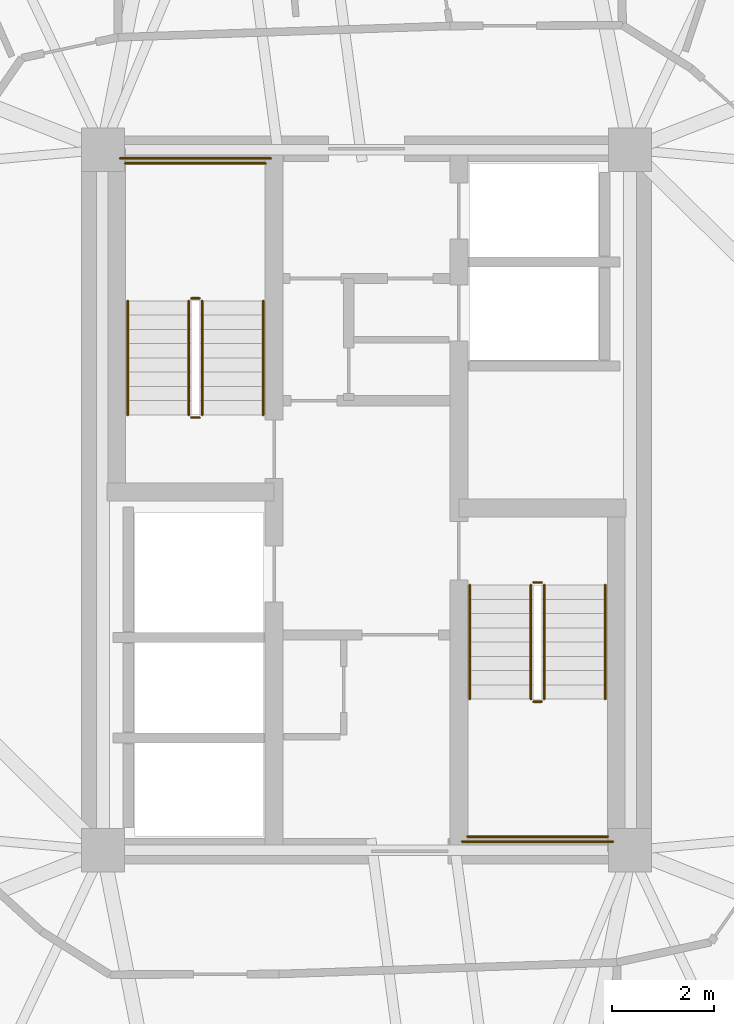
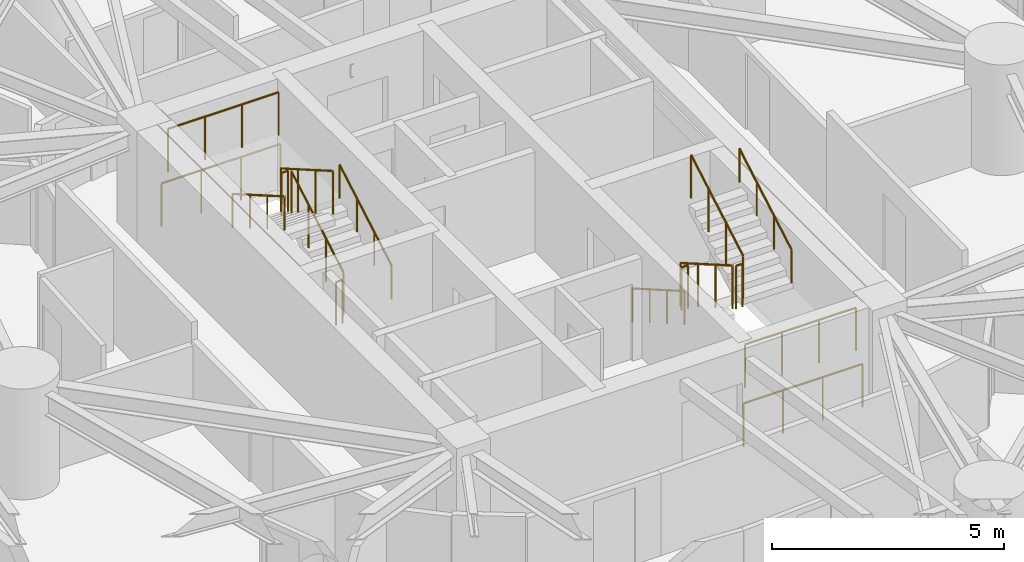
# One storey, part 17 of 18: 16 railings.
"""IFC4 building model written with IfcOpenShell, lengths in metres."""

import ifcopenshell
import ifcopenshell.guid

model = None  # the IFC model being written
_history = None  # IfcOwnerHistory: only IFC2X3 demands one
_inside = {}  # id of a spatial element -> (the spatial element, [elements in it])
_under = {}  # id of a project, library or spatial element -> (it, [spatial elements below it])
_declared = {}  # id of a project -> (the project, [libraries it declares])
_typed = {}  # id of a type object -> (the type object, [elements of that type])
_made_of = {}  # id of a material, layer set ... -> (it, [elements and type objects made of it])


def new_model(schema):
    """Start an empty IFC model of exactly this schema.

    Asked for "IFC4X3", IfcOpenShell would pick the latest addendum, in which some entities
    have other attributes; the version numbers below select the first issue.
    IFC2X3 requires an IfcOwnerHistory on every rooted entity: one is made here for all.
    """
    global model, _history
    if schema == "IFC4X3":
        model = ifcopenshell.file(schema_version=(4, 3, 0, 0))
    else:
        model = ifcopenshell.file(schema=schema)
    _inside.clear()
    _under.clear()
    _declared.clear()
    _typed.clear()
    _made_of.clear()
    _history = None
    if model.schema == "IFC2X3":
        org = make("IfcOrganization", Name="unknown")
        user = make(
            "IfcPersonAndOrganization",
            ThePerson=make("IfcPerson", FamilyName="unknown"),
            TheOrganization=org,
        )
        app = make(
            "IfcApplication",
            ApplicationDeveloper=org,
            Version="unknown",
            ApplicationFullName="unknown",
            ApplicationIdentifier="unknown",
        )
        _history = make(
            "IfcOwnerHistory",
            OwningUser=user,
            OwningApplication=app,
            ChangeAction="ADDED",
            CreationDate=0,
        )
    return model


def make(cls, **values):
    """One entity of the class cls with the attributes given. An attribute that is None is left unset."""
    return model.create_entity(
        cls, **{name: value for name, value in values.items() if value is not None}
    )


def rooted(cls, **values):
    """An entity with a GlobalId (a new one), such as an element, a storey or a relation."""
    return make(cls, GlobalId=ifcopenshell.guid.new(), OwnerHistory=_history, **values)


def si_unit(unit_type, name, prefix=None):
    """IfcSIUnit, for example si_unit("LENGTHUNIT", "METRE", prefix="MILLI")."""
    return make("IfcSIUnit", UnitType=unit_type, Prefix=prefix, Name=name)


def assignment(units):
    """IfcUnitAssignment: the units of a project."""
    return None if units is None else make("IfcUnitAssignment", Units=units)


def point(xyz):
    """IfcCartesianPoint."""
    return None if xyz is None else make("IfcCartesianPoint", Coordinates=xyz)


def direction(xyz):
    """IfcDirection."""
    return None if xyz is None else make("IfcDirection", DirectionRatios=xyz)


def frame(location, z_axis=None, x_axis=None):
    """IfcAxis2Placement3D, a coordinate frame: its origin and axes. An axis left out is left unset."""
    return make(
        "IfcAxis2Placement3D",
        Location=point(location),
        Axis=direction(z_axis),
        RefDirection=direction(x_axis),
    )


def frame_2d(location, x_axis=None):
    """IfcAxis2Placement2D, a coordinate frame in the plane: its origin and x axis."""
    return make(
        "IfcAxis2Placement2D", Location=point(location), RefDirection=direction(x_axis)
    )


def origin():
    """The frame at (0, 0, 0) with its axes left unset."""
    return frame((0.0, 0.0, 0.0))


def origin_2d():
    """The frame at (0, 0) in the plane with its x axis left unset."""
    return frame_2d((0.0, 0.0))


def place(relative_to, where):
    """IfcLocalPlacement: puts the frame where relative to a parent placement (None: the world)."""
    return make(
        "IfcLocalPlacement", PlacementRelTo=relative_to, RelativePlacement=where
    )


def context(
    kind, dimensions, precision=None, world=None, true_north=None, identifier=None
):
    """IfcGeometricRepresentationContext, for example the 3D "Model" context."""
    return make(
        "IfcGeometricRepresentationContext",
        ContextIdentifier=identifier,
        ContextType=kind,
        CoordinateSpaceDimension=dimensions,
        Precision=precision,
        WorldCoordinateSystem=world,
        TrueNorth=true_north,
    )


def subcontext(parent, identifier, kind, view, scale=None):
    """IfcGeometricRepresentationSubContext, for example "Body" below "Model"."""
    return make(
        "IfcGeometricRepresentationSubContext",
        ContextIdentifier=identifier,
        ContextType=kind,
        ParentContext=parent,
        TargetScale=scale,
        TargetView=view,
    )


def project(units=None, contexts=None):
    """IfcProject with its units and contexts."""
    return rooted(
        "IfcProject",
        Name="project",
        RepresentationContexts=contexts,
        UnitsInContext=assignment(units),
    )


def spatial(cls, under=None, at=None, **own):
    """A site, building, storey or space (cls), placed at a placement, below another one or the project."""
    s = rooted(cls, ObjectPlacement=at, **own)
    if under is not None:
        _under.setdefault(under.id(), (under, []))[1].append(s)
    return s


def profile(cls, at=None, kind="AREA", **sizes):
    """A parametric profile (cls). Its sizes go by their IFC names, for example OverallWidth=200.0."""
    return make(cls, ProfileType=kind, Position=at, **sizes)


def circle(**sizes):
    """IfcCircleProfileDef."""
    return profile("IfcCircleProfileDef", **sizes)


def extrude(swept, where, along, depth):
    """IfcExtrudedAreaSolid: the profile swept, set in the frame where, extruded along a direction by depth."""
    return make(
        "IfcExtrudedAreaSolid",
        SweptArea=swept,
        Position=where,
        ExtrudedDirection=direction(along),
        Depth=depth,
    )


def shape(context_of_items, identifier, shape_type, items):
    """IfcShapeRepresentation: the items that make up one representation, for example the "Body"."""
    return make(
        "IfcShapeRepresentation",
        ContextOfItems=context_of_items,
        RepresentationIdentifier=identifier,
        RepresentationType=shape_type,
        Items=items,
    )


def material(Name=None, Category=None):
    """IfcMaterial."""
    return make("IfcMaterial", Name=Name, Category=Category)


def made_of(thing, what):
    """Note that an element or type object is made of a material, layer set ...; save() writes the relation."""
    if what is not None:
        _made_of.setdefault(what.id(), (what, []))[1].append(thing)
    return thing


def type_object(cls, material=None, **own):
    """A type object (cls), such as IfcWallType, which elements share."""
    return made_of(rooted(cls, **own), material)


def element(
    cls,
    number,
    at=None,
    inside=None,
    cuts=None,
    type_object=None,
    material=None,
    context=None,
    identifier="Body",
    shape_type=None,
    held_by="IfcProductDefinitionShape",
    body=None,
    shapes=None,
    **own,
):
    """One element of the class cls, such as IfcWall. Its Tag is "e" and its number.

    at: its placement. inside: the storey or other place that contains it. cuts: it is an
    opening in that element (IfcRelVoidsElement). A single representation is given by context,
    identifier, shape_type and body (its items); several are given by shapes. held_by: the class
    of the entity that holds the representations. save() writes the other relations.
    """
    e = rooted(cls, Tag="e%d" % number, ObjectPlacement=at, **own)
    if body is not None:
        shapes = [shape(context, identifier, shape_type, body)]
    if shapes is not None:
        e.Representation = make(held_by, Representations=shapes)
    if inside is not None:
        _inside.setdefault(inside.id(), (inside, []))[1].append(e)
    if cuts is not None:
        rooted(
            "IfcRelVoidsElement", RelatingBuildingElement=cuts, RelatedOpeningElement=e
        )
    if type_object is not None:
        _typed.setdefault(type_object.id(), (type_object, []))[1].append(e)
    return made_of(e, material)


def aggregate(whole, parts):
    """IfcRelAggregates: a whole, such as a stair, and the parts it consists of."""
    return rooted("IfcRelAggregates", RelatingObject=whole, RelatedObjects=parts)


def save(model, path):
    """Write the relations noted so far, then the file.

    IfcRelAggregates (storeys below a building ...), IfcRelContainedInSpatialStructure (elements
    in a storey), IfcRelDefinesByType, IfcRelAssociatesMaterial and IfcRelDeclares: one each for
    every whole, place, type object, material and project.
    """
    for whole, parts in _under.values():
        aggregate(whole, parts)
    for where, things in _inside.values():
        rooted(
            "IfcRelContainedInSpatialStructure",
            RelatedElements=things,
            RelatingStructure=where,
        )
    for kind, things in _typed.values():
        rooted("IfcRelDefinesByType", RelatedObjects=things, RelatingType=kind)
    for what, things in _made_of.values():
        rooted("IfcRelAssociatesMaterial", RelatedObjects=things, RelatingMaterial=what)
    for by, libraries in _declared.values():
        rooted("IfcRelDeclares", RelatingContext=by, RelatedDefinitions=libraries)
    model.write(path)


model = new_model("IFC4")

# Units and contexts
model_context = context("Model", 3, precision=1e-05, world=origin(), true_north=direction((0.0, 1.0)))
body_context = subcontext(model_context, "Body", "Model", "MODEL_VIEW")
ifc_project = project(units=[si_unit("LENGTHUNIT", "METRE"), si_unit("AREAUNIT", "SQUARE_METRE"), si_unit("VOLUMEUNIT", "CUBIC_METRE"), si_unit("PLANEANGLEUNIT", "RADIAN"), si_unit("MASSUNIT", "GRAM", prefix="KILO")], contexts=[model_context])

# Site, building, storey
site_placement = place(None, origin())
site = spatial("IfcSite", under=ifc_project, at=site_placement, CompositionType="ELEMENT")
building_placement = place(site_placement, origin())
building = spatial("IfcBuilding", under=site, at=building_placement, Name="Cununo Teusaquillo Station Towers", CompositionType="ELEMENT")
storey_placement = place(building_placement, frame((0.0, 0.0, 54.010009765625)))
storey = spatial("IfcBuildingStorey", under=building, at=storey_placement, Name="L16", CompositionType="ELEMENT", Elevation=54.010009765625)

# Railings
ifc_material_1 = material(Name="Steel EN 10025-2 S355J2", Category="steel")
railing_type_1 = type_object("IfcRailingType", Name="RL-INT-GUARD", PredefinedType="GUARDRAIL", material=ifc_material_1)
railing_1_placement = place(storey_placement, frame((13.27001953125, 26.169921875, 0.16162109375)))
element("IfcRailing", 1, at=railing_1_placement, inside=storey, type_object=railing_type_1, Name="L16 ST-T1-1 stair guard 1", PredefinedType="GUARDRAIL", context=body_context, shape_type="SweptSolid", body=[
    extrude(circle(Radius=0.02392578125, at=origin_2d()), frame((0.0, 0.0, 1.1259765625), z_axis=(0.0, 0.865992244559, 0.500057429065), x_axis=(-1.0, 0.0, 0.0)), (0.0, 0.0, 1.0), 2.586669921875),
    extrude(circle(Radius=0.02099609375, at=origin_2d()), origin(), (0.0, 0.0, 1.0), 1.101806640625),
    extrude(circle(Radius=0.02099609375, at=origin_2d()), frame((0.0, 0.74658203125, 0.43115234375)), (0.0, 0.0, 1.0), 1.101806640625),
    extrude(circle(Radius=0.02099609375, at=origin_2d()), frame((0.0, 1.493408203125, 0.8623046875)), (0.0, 0.0, 1.0), 1.101806640625),
    extrude(circle(Radius=0.02099609375, at=origin_2d()), frame((0.0, 2.239990234375, 1.29345703125)), (0.0, 0.0, 1.0), 1.101806640625),
])
railing_2_placement = place(storey_placement, frame((13.219970703125, 28.4599609375, 1.455078125)))
element("IfcRailing", 2, at=railing_2_placement, inside=storey, type_object=railing_type_1, Name="L16 ST-T1-1 stair guard 2", PredefinedType="GUARDRAIL", context=body_context, shape_type="SweptSolid", body=[
    extrude(circle(Radius=0.02392578125, at=origin_2d()), frame((0.0, 0.0, 1.1259765625), z_axis=(-1.0, 0.0, 0.0), x_axis=(0.0, -1.0, 0.0)), (0.0, 0.0, 1.0), 0.159912109375),
    extrude(circle(Radius=0.02099609375, at=origin_2d()), origin(), (0.0, 0.0, 1.0), 1.101806640625),
    extrude(circle(Radius=0.02099609375, at=origin_2d()), frame((-0.159912109375, 0.0, 0.0)), (0.0, 0.0, 1.0), 1.101806640625),
])
railing_3_placement = place(storey_placement, frame((14.52001953125, 31.110107421875, 1.455078125)))
element("IfcRailing", 3, at=railing_3_placement, inside=storey, type_object=railing_type_1, Name="L16 ST-T1-1 stair guard 3", PredefinedType="GUARDRAIL", context=body_context, shape_type="SweptSolid", body=[
    extrude(circle(Radius=0.02392578125, at=origin_2d()), frame((0.0, 0.0, 1.1259765625), z_axis=(-1.0, 0.0, 0.0), x_axis=(0.0, -1.0, 0.0)), (0.0, 0.0, 1.0), 2.760009765625),
    extrude(circle(Radius=0.02099609375, at=origin_2d()), origin(), (0.0, 0.0, 1.0), 1.101806640625),
    extrude(circle(Radius=0.02099609375, at=origin_2d()), frame((-0.919921875, 0.0, 0.0)), (0.0, 0.0, 1.0), 1.101806640625),
    extrude(circle(Radius=0.02099609375, at=origin_2d()), frame((-1.840087890625, 0.0, 0.0)), (0.0, 0.0, 1.0), 1.101806640625),
    extrude(circle(Radius=0.02099609375, at=origin_2d()), frame((-2.760009765625, 0.0, 0.0)), (0.0, 0.0, 1.0), 1.101806640625),
])
railing_4_placement = place(storey_placement, frame((13.010009765625, 28.409912109375, 1.61669921875)))
element("IfcRailing", 4, at=railing_4_placement, inside=storey, type_object=railing_type_1, Name="L16 ST-T1-1 stair guard 4", PredefinedType="GUARDRAIL", context=body_context, shape_type="SweptSolid", body=[
    extrude(circle(Radius=0.02392578125, at=origin_2d()), frame((0.0, 0.0, 1.1259765625), z_axis=(0.0, -0.866033117094, 0.499986639918), x_axis=(1.0, 0.0, 0.0)), (0.0, 0.0, 1.0), 2.58642578125),
    extrude(circle(Radius=0.02099609375, at=origin_2d()), origin(), (0.0, 0.0, 1.0), 1.101806640625),
    extrude(circle(Radius=0.02099609375, at=origin_2d()), frame((0.0, -0.74658203125, 0.43115234375)), (0.0, 0.0, 1.0), 1.101806640625),
    extrude(circle(Radius=0.02099609375, at=origin_2d()), frame((0.0, -1.493408203125, 0.862060546875)), (0.0, 0.0, 1.0), 1.101806640625),
    extrude(circle(Radius=0.02099609375, at=origin_2d()), frame((0.0, -2.239990234375, 1.293212890625)), (0.0, 0.0, 1.0), 1.101806640625),
])
railing_5_placement = place(storey_placement, frame((13.219970703125, 26.1201171875, 0.0)))
element("IfcRailing", 5, at=railing_5_placement, inside=storey, type_object=railing_type_1, Name="L16 ST-T1-1 stair guard 5", PredefinedType="GUARDRAIL", context=body_context, shape_type="SweptSolid", body=[
    extrude(circle(Radius=0.02392578125, at=origin_2d()), frame((0.0, 0.0, 1.1259765625), z_axis=(-1.0, 0.0, 0.0), x_axis=(0.0, -1.0, 0.0)), (0.0, 0.0, 1.0), 0.159912109375),
    extrude(circle(Radius=0.02099609375, at=origin_2d()), origin(), (0.0, 0.0, 1.0), 1.101806640625),
    extrude(circle(Radius=0.02099609375, at=origin_2d()), frame((-0.159912109375, 0.0, 0.0)), (0.0, 0.0, 1.0), 1.101806640625),
])
railing_6_placement = place(storey_placement, frame((14.6201171875, 31.2099609375, 0.0)))
element("IfcRailing", 6, at=railing_6_placement, inside=storey, type_object=railing_type_1, Name="L16 ST-T1-1 stair guard 6", PredefinedType="GUARDRAIL", context=body_context, shape_type="SweptSolid", body=[
    extrude(circle(Radius=0.02392578125, at=origin_2d()), frame((0.0, 0.0, 1.1259765625), z_axis=(-1.0, 0.0, 0.0), x_axis=(0.0, -1.0, 0.0)), (0.0, 0.0, 1.0), 2.960205078125),
    extrude(circle(Radius=0.02099609375, at=origin_2d()), origin(), (0.0, 0.0, 1.0), 1.101806640625),
    extrude(circle(Radius=0.02099609375, at=origin_2d()), frame((-0.98681640625, 0.0, 0.0)), (0.0, 0.0, 1.0), 1.101806640625),
    extrude(circle(Radius=0.02099609375, at=origin_2d()), frame((-1.973388671875, 0.0, 0.0)), (0.0, 0.0, 1.0), 1.101806640625),
    extrude(circle(Radius=0.02099609375, at=origin_2d()), frame((-2.960205078125, 0.0, 0.0)), (0.0, 0.0, 1.0), 1.101806640625),
])
railing_7_placement = place(storey_placement, frame((19.72998046875, 22.830078125, 0.16162109375)))
element("IfcRailing", 7, at=railing_7_placement, inside=storey, type_object=railing_type_1, Name="L16 ST-T1-2 stair guard 1", PredefinedType="GUARDRAIL", context=body_context, shape_type="SweptSolid", body=[
    extrude(circle(Radius=0.02392578125, at=origin_2d()), frame((0.0, 0.0, 1.1259765625), z_axis=(0.0, -0.865992244559, 0.500057429065), x_axis=(1.0, 0.0, 0.0)), (0.0, 0.0, 1.0), 2.586669921875),
    extrude(circle(Radius=0.02099609375, at=origin_2d()), origin(), (0.0, 0.0, 1.0), 1.101806640625),
    extrude(circle(Radius=0.02099609375, at=origin_2d()), frame((0.0, -0.74658203125, 0.43115234375)), (0.0, 0.0, 1.0), 1.101806640625),
    extrude(circle(Radius=0.02099609375, at=origin_2d()), frame((0.0, -1.493408203125, 0.8623046875)), (0.0, 0.0, 1.0), 1.101806640625),
    extrude(circle(Radius=0.02099609375, at=origin_2d()), frame((0.0, -2.239990234375, 1.29345703125)), (0.0, 0.0, 1.0), 1.101806640625),
])
railing_8_placement = place(storey_placement, frame((19.780029296875, 20.5400390625, 1.455078125)))
element("IfcRailing", 8, at=railing_8_placement, inside=storey, type_object=railing_type_1, Name="L16 ST-T1-2 stair guard 2", PredefinedType="GUARDRAIL", context=body_context, shape_type="SweptSolid", body=[
    extrude(circle(Radius=0.02392578125, at=origin_2d()), frame((0.0, 0.0, 1.1259765625), z_axis=(1.0, 0.0, 0.0), x_axis=(0.0, 1.0, 0.0)), (0.0, 0.0, 1.0), 0.159912109375),
    extrude(circle(Radius=0.02099609375, at=origin_2d()), origin(), (0.0, 0.0, 1.0), 1.101806640625),
    extrude(circle(Radius=0.02099609375, at=origin_2d()), frame((0.159912109375, 0.0, 0.0)), (0.0, 0.0, 1.0), 1.101806640625),
])
railing_9_placement = place(storey_placement, frame((18.47998046875, 17.889892578125, 1.455078125)))
element("IfcRailing", 9, at=railing_9_placement, inside=storey, type_object=railing_type_1, Name="L16 ST-T1-2 stair guard 3", PredefinedType="GUARDRAIL", context=body_context, shape_type="SweptSolid", body=[
    extrude(circle(Radius=0.02392578125, at=origin_2d()), frame((0.0, 0.0, 1.1259765625), z_axis=(1.0, 0.0, 0.0), x_axis=(0.0, 1.0, 0.0)), (0.0, 0.0, 1.0), 2.760009765625),
    extrude(circle(Radius=0.02099609375, at=origin_2d()), origin(), (0.0, 0.0, 1.0), 1.101806640625),
    extrude(circle(Radius=0.02099609375, at=origin_2d()), frame((0.919921875, 0.0, 0.0)), (0.0, 0.0, 1.0), 1.101806640625),
    extrude(circle(Radius=0.02099609375, at=origin_2d()), frame((1.840087890625, 0.0, 0.0)), (0.0, 0.0, 1.0), 1.101806640625),
    extrude(circle(Radius=0.02099609375, at=origin_2d()), frame((2.760009765625, 0.0, 0.0)), (0.0, 0.0, 1.0), 1.101806640625),
])
railing_10_placement = place(storey_placement, frame((19.989990234375, 20.590087890625, 1.61669921875)))
element("IfcRailing", 10, at=railing_10_placement, inside=storey, type_object=railing_type_1, Name="L16 ST-T1-2 stair guard 4", PredefinedType="GUARDRAIL", context=body_context, shape_type="SweptSolid", body=[
    extrude(circle(Radius=0.02392578125, at=origin_2d()), frame((0.0, 0.0, 1.1259765625), z_axis=(0.0, 0.866033117094, 0.499986639918), x_axis=(-1.0, 0.0, 0.0)), (0.0, 0.0, 1.0), 2.58642578125),
    extrude(circle(Radius=0.02099609375, at=origin_2d()), origin(), (0.0, 0.0, 1.0), 1.101806640625),
    extrude(circle(Radius=0.02099609375, at=origin_2d()), frame((0.0, 0.74658203125, 0.43115234375)), (0.0, 0.0, 1.0), 1.101806640625),
    extrude(circle(Radius=0.02099609375, at=origin_2d()), frame((0.0, 1.493408203125, 0.862060546875)), (0.0, 0.0, 1.0), 1.101806640625),
    extrude(circle(Radius=0.02099609375, at=origin_2d()), frame((0.0, 2.239990234375, 1.293212890625)), (0.0, 0.0, 1.0), 1.101806640625),
])
railing_11_placement = place(storey_placement, frame((19.780029296875, 22.8798828125, 0.0)))
element("IfcRailing", 11, at=railing_11_placement, inside=storey, type_object=railing_type_1, Name="L16 ST-T1-2 stair guard 5", PredefinedType="GUARDRAIL", context=body_context, shape_type="SweptSolid", body=[
    extrude(circle(Radius=0.02392578125, at=origin_2d()), frame((0.0, 0.0, 1.1259765625), z_axis=(1.0, 0.0, 0.0), x_axis=(0.0, 1.0, 0.0)), (0.0, 0.0, 1.0), 0.159912109375),
    extrude(circle(Radius=0.02099609375, at=origin_2d()), origin(), (0.0, 0.0, 1.0), 1.101806640625),
    extrude(circle(Radius=0.02099609375, at=origin_2d()), frame((0.159912109375, 0.0, 0.0)), (0.0, 0.0, 1.0), 1.101806640625),
])
railing_12_placement = place(storey_placement, frame((18.3798828125, 17.7900390625, 0.0)))
element("IfcRailing", 12, at=railing_12_placement, inside=storey, type_object=railing_type_1, Name="L16 ST-T1-2 stair guard 6", PredefinedType="GUARDRAIL", context=body_context, shape_type="SweptSolid", body=[
    extrude(circle(Radius=0.02392578125, at=origin_2d()), frame((0.0, 0.0, 1.1259765625), z_axis=(1.0, 0.0, 0.0), x_axis=(0.0, 1.0, 0.0)), (0.0, 0.0, 1.0), 2.960205078125),
    extrude(circle(Radius=0.02099609375, at=origin_2d()), origin(), (0.0, 0.0, 1.0), 1.101806640625),
    extrude(circle(Radius=0.02099609375, at=origin_2d()), frame((0.98681640625, 0.0, 0.0)), (0.0, 0.0, 1.0), 1.101806640625),
    extrude(circle(Radius=0.02099609375, at=origin_2d()), frame((1.973388671875, 0.0, 0.0)), (0.0, 0.0, 1.0), 1.101806640625),
    extrude(circle(Radius=0.02099609375, at=origin_2d()), frame((2.960205078125, 0.0, 0.0)), (0.0, 0.0, 1.0), 1.101806640625),
])
ifc_material_2 = material(Name="Steel EN 10025-2 S355J2", Category="steel")
railing_type_2 = type_object("IfcRailingType", Name="RL-INT-HRAIL", PredefinedType="HANDRAIL", material=ifc_material_2)
railing_13_placement = place(storey_placement, frame((14.469970703125, 26.169921875, 0.16162109375)))
element("IfcRailing", 13, at=railing_13_placement, inside=storey, type_object=railing_type_2, Name="L16 ST-T1-1 stair handrail 1", PredefinedType="HANDRAIL", context=body_context, shape_type="SweptSolid", body=[
    extrude(circle(Radius=0.02392578125, at=origin_2d()), frame((0.0, 0.0, 0.8759765625), z_axis=(0.0, 0.865992244559, 0.500057429065), x_axis=(-1.0, 0.0, 0.0)), (0.0, 0.0, 1.0), 2.586669921875),
    extrude(circle(Radius=0.02099609375, at=origin_2d()), origin(), (0.0, 0.0, 1.0), 0.851806640625),
    extrude(circle(Radius=0.02099609375, at=origin_2d()), frame((0.0, 0.74658203125, 0.43115234375)), (0.0, 0.0, 1.0), 0.851806640625),
    extrude(circle(Radius=0.02099609375, at=origin_2d()), frame((0.0, 1.493408203125, 0.8623046875)), (0.0, 0.0, 1.0), 0.851806640625),
    extrude(circle(Radius=0.02099609375, at=origin_2d()), frame((0.0, 2.239990234375, 1.29345703125)), (0.0, 0.0, 1.0), 0.851806640625),
])
railing_14_placement = place(storey_placement, frame((11.81005859375, 28.409912109375, 1.61669921875)))
element("IfcRailing", 14, at=railing_14_placement, inside=storey, type_object=railing_type_2, Name="L16 ST-T1-1 stair handrail 2", PredefinedType="HANDRAIL", context=body_context, shape_type="SweptSolid", body=[
    extrude(circle(Radius=0.02392578125, at=origin_2d()), frame((0.0, 0.0, 0.8759765625), z_axis=(0.0, -0.866033117094, 0.499986639918), x_axis=(1.0, 0.0, 0.0)), (0.0, 0.0, 1.0), 2.58642578125),
    extrude(circle(Radius=0.02099609375, at=origin_2d()), origin(), (0.0, 0.0, 1.0), 0.851806640625),
    extrude(circle(Radius=0.02099609375, at=origin_2d()), frame((0.0, -0.74658203125, 0.43115234375)), (0.0, 0.0, 1.0), 0.851806640625),
    extrude(circle(Radius=0.02099609375, at=origin_2d()), frame((0.0, -1.493408203125, 0.862060546875)), (0.0, 0.0, 1.0), 0.851806640625),
    extrude(circle(Radius=0.02099609375, at=origin_2d()), frame((0.0, -2.239990234375, 1.293212890625)), (0.0, 0.0, 1.0), 0.851806640625),
])
railing_15_placement = place(storey_placement, frame((18.530029296875, 22.830078125, 0.16162109375)))
element("IfcRailing", 15, at=railing_15_placement, inside=storey, type_object=railing_type_2, Name="L16 ST-T1-2 stair handrail 1", PredefinedType="HANDRAIL", context=body_context, shape_type="SweptSolid", body=[
    extrude(circle(Radius=0.02392578125, at=origin_2d()), frame((0.0, 0.0, 0.8759765625), z_axis=(0.0, -0.865992244559, 0.500057429065), x_axis=(1.0, 0.0, 0.0)), (0.0, 0.0, 1.0), 2.586669921875),
    extrude(circle(Radius=0.02099609375, at=origin_2d()), origin(), (0.0, 0.0, 1.0), 0.851806640625),
    extrude(circle(Radius=0.02099609375, at=origin_2d()), frame((0.0, -0.74658203125, 0.43115234375)), (0.0, 0.0, 1.0), 0.851806640625),
    extrude(circle(Radius=0.02099609375, at=origin_2d()), frame((0.0, -1.493408203125, 0.8623046875)), (0.0, 0.0, 1.0), 0.851806640625),
    extrude(circle(Radius=0.02099609375, at=origin_2d()), frame((0.0, -2.239990234375, 1.29345703125)), (0.0, 0.0, 1.0), 0.851806640625),
])
railing_16_placement = place(storey_placement, frame((21.18994140625, 20.590087890625, 1.61669921875)))
element("IfcRailing", 16, at=railing_16_placement, inside=storey, type_object=railing_type_2, Name="L16 ST-T1-2 stair handrail 2", PredefinedType="HANDRAIL", context=body_context, shape_type="SweptSolid", body=[
    extrude(circle(Radius=0.02392578125, at=origin_2d()), frame((0.0, 0.0, 0.8759765625), z_axis=(0.0, 0.866033117094, 0.499986639918), x_axis=(-1.0, 0.0, 0.0)), (0.0, 0.0, 1.0), 2.58642578125),
    extrude(circle(Radius=0.02099609375, at=origin_2d()), origin(), (0.0, 0.0, 1.0), 0.851806640625),
    extrude(circle(Radius=0.02099609375, at=origin_2d()), frame((0.0, 0.74658203125, 0.43115234375)), (0.0, 0.0, 1.0), 0.851806640625),
    extrude(circle(Radius=0.02099609375, at=origin_2d()), frame((0.0, 1.493408203125, 0.862060546875)), (0.0, 0.0, 1.0), 0.851806640625),
    extrude(circle(Radius=0.02099609375, at=origin_2d()), frame((0.0, 2.239990234375, 1.293212890625)), (0.0, 0.0, 1.0), 0.851806640625),
])

save(model, "model.ifc")
